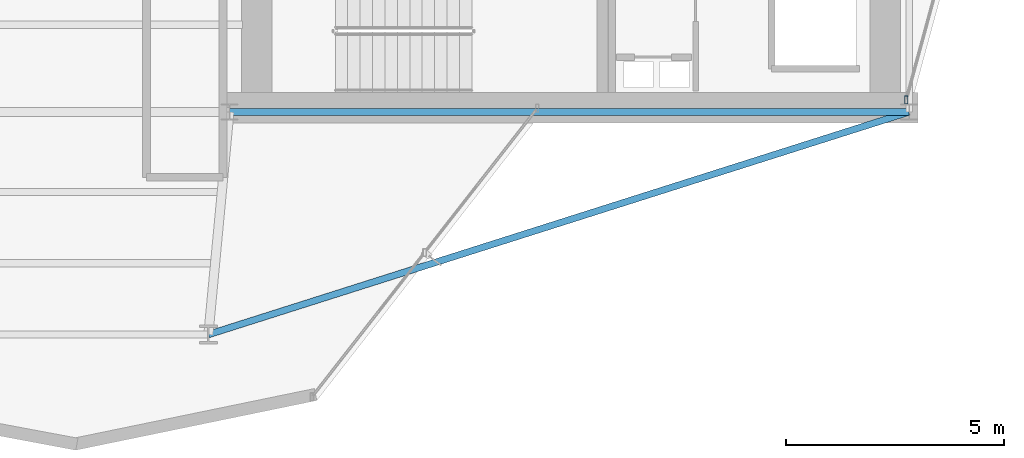
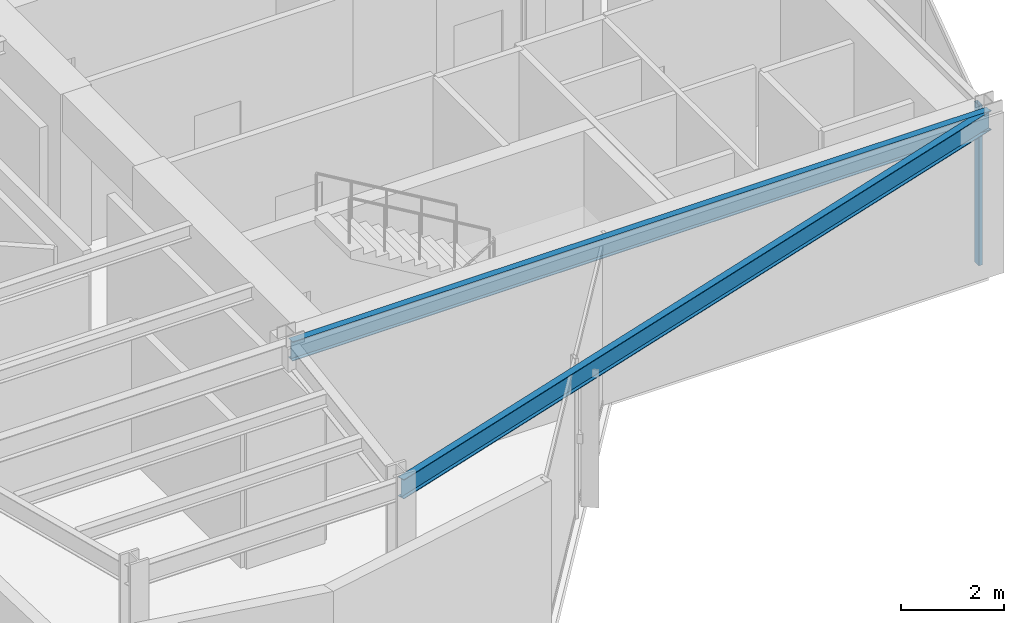
# One storey, part 12 of 21: 2 beams, 1 member, 1 element without a shape of its own.
"""IFC4 building model written with IfcOpenShell, lengths in metres."""

from ifc_helpers import new_model, si_unit, direction, frame, origin, origin_2d, place, context, subcontext, project, spatial, hollow_rectangle, i_section, extrude, material, layer, layer_set, material_profile, profile_set, type_object, element, aggregate, save


model = new_model("IFC4")

# Units and contexts
model_context = context("Model", 3, precision=1e-05, world=origin(), true_north=direction((0.0, 1.0)))
body_context = subcontext(model_context, "Body", "Model", "MODEL_VIEW")
ifc_project = project(units=[si_unit("LENGTHUNIT", "METRE"), si_unit("AREAUNIT", "SQUARE_METRE"), si_unit("VOLUMEUNIT", "CUBIC_METRE"), si_unit("PLANEANGLEUNIT", "RADIAN"), si_unit("MASSUNIT", "GRAM", prefix="KILO")], contexts=[model_context])

# Site, building, storey
site_placement = place(None, origin())
site = spatial("IfcSite", under=ifc_project, at=site_placement, CompositionType="ELEMENT")
building_placement = place(site_placement, origin())
building = spatial("IfcBuilding", under=site, at=building_placement, Name="Veymaron Broadcast Tower", CompositionType="ELEMENT")
storey_placement = place(building_placement, frame((0.0, 0.0, 244.5)))
storey = spatial("IfcBuildingStorey", under=building, at=storey_placement, Name="L57", CompositionType="ELEMENT", Elevation=244.5)

# Beams
ifc_material_1 = material(Name="Structural steel ASTM A992 Gr 50", Category="steel")
ifc_material_profile_1 = material_profile(ifc_material_1, i_section(OverallWidth=0.154052734375, OverallDepth=0.458984375, WebThickness=0.009033203125, FlangeThickness=0.015380859375, at=origin_2d()), Name="W460X68")
ifc_profile_set_1 = profile_set([ifc_material_profile_1], Name="Structural steel ASTM A992 Gr 50")
beam_type = type_object("IfcBeamType", Name="BM-SP2", PredefinedType="SPANDREL", material=ifc_profile_set_1)
beam_1_placement = place(storey_placement, frame((39.0, 16.0, 3.560546875), z_axis=(1.0, 0.0, 0.0), x_axis=(0.0, 1.0, 0.0)))
element("IfcBeam", 1, at=beam_1_placement, inside=storey, type_object=beam_type, Name="L57 primary structural floor girder", PredefinedType="SPANDREL", context=body_context, shape_type="SweptSolid", body=[
    extrude(i_section(OverallWidth=0.154052734375, OverallDepth=0.458984375, WebThickness=0.009033203125, FlangeThickness=0.015380859375, at=origin_2d()), origin(), (0.0, 0.0, 1.0), 15.60009765625),
])
beam_2_placement = place(storey_placement, frame((54.60009765625, 16.0, 3.560546875), z_axis=(-0.953081470831, -0.302713907772, 0.0), x_axis=(0.302713907772, -0.953081470831, 0.0)))
element("IfcBeam", 2, at=beam_2_placement, inside=storey, type_object=beam_type, Name="L57 primary structural floor girder", PredefinedType="SPANDREL", context=body_context, shape_type="SweptSolid", body=[
    extrude(i_section(OverallWidth=0.154052734375, OverallDepth=0.458984375, WebThickness=0.009033203125, FlangeThickness=0.015380859375, at=origin_2d()), origin(), (0.0, 0.0, 1.0), 16.873779296875),
])

# Curtain wall, member
ifc_material_2 = material(Name="Anodised aluminium AA 6063-T6 and laminated low-E dark glass", Category="aluminium")
ifc_layer = layer(ifc_material_2, 0.179931640625)
ifc_layer_set = layer_set([ifc_layer], Name="Anodised aluminium AA 6063-T6 and laminated low-E dark glass")
curtain_wall_type = type_object("IfcCurtainWallType", Name="CW-SYS-05", PredefinedType="NOTDEFINED", material=ifc_layer_set)
curtain_wall_placement = place(storey_placement, origin())
curtain_wall = element("IfcCurtainWall", 3, at=curtain_wall_placement, inside=storey, type_object=curtain_wall_type, Name="L57 dark-glass curtain wall CW-L57-E2-1", PredefinedType="NOTDEFINED")
ifc_material_3 = material(Name="Anodised aluminium AA 6063-T6", Category="aluminium")
ifc_material_profile_2 = material_profile(ifc_material_3, hollow_rectangle(XDim=0.074951171875, YDim=0.179931640625, WallThickness=0.0048828125, at=origin_2d()), Name="AL180X75X5")
ifc_profile_set_2 = profile_set([ifc_material_profile_2], Name="Anodised aluminium AA 6063-T6")
member_type = type_object("IfcMemberType", Name="CW-MUL-02", PredefinedType="MULLION", material=ifc_profile_set_2)
member_placement = place(storey_placement, frame((54.53076171875, 16.278564453125, 0.0), z_axis=(0.0, 0.0, 1.0), x_axis=(1.0, 0.0, 0.0)))
member = element("IfcMember", 4, at=member_placement, type_object=member_type, Name="CW-L57-E2-1 mullion 0", PredefinedType="MULLION", context=body_context, shape_type="SweptSolid", body=[
    extrude(hollow_rectangle(XDim=0.074951171875, YDim=0.179931640625, WallThickness=0.0048828125, at=origin_2d()), origin(), (0.0, 0.0, 1.0), 3.7900390625),
])
aggregate(curtain_wall, [member])

save(model, "model.ifc")
